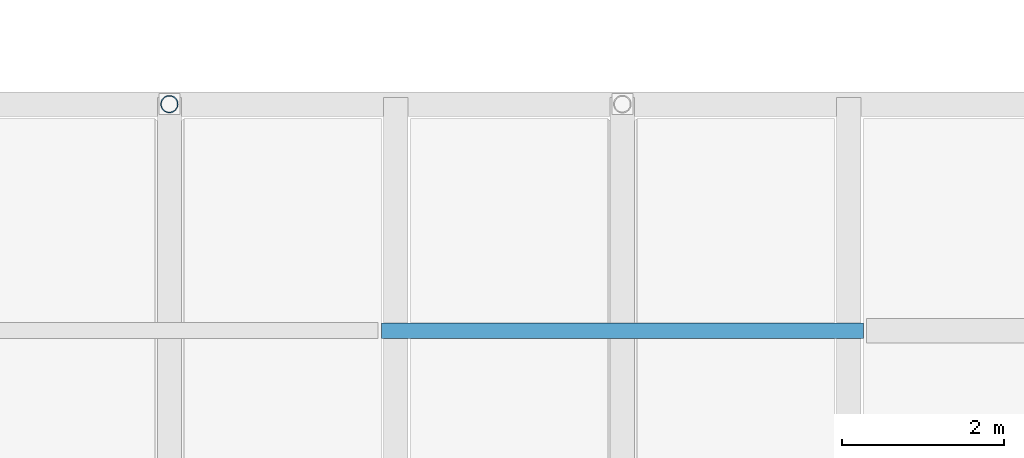
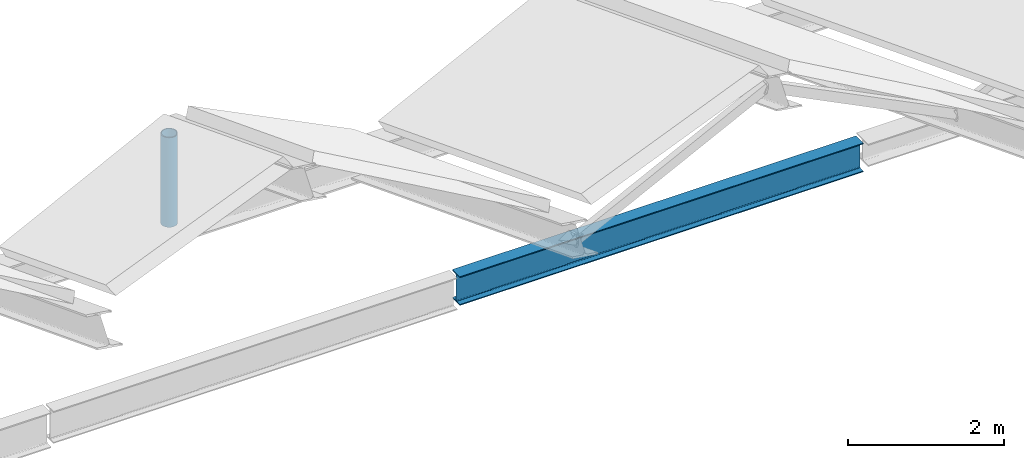
# One storey, part 21 of 49: 1 beam, 1 member.
"""IFC4 building model written with IfcOpenShell, lengths in metres."""

from ifc_helpers import new_model, si_unit, direction, frame, origin, origin_2d, place, context, subcontext, project, spatial, hollow_circle, i_section, extrude, material, material_profile, profile_set, type_object, element, save


model = new_model("IFC4")

# Units and contexts
model_context = context("Model", 3, precision=1e-05, world=origin(), true_north=direction((0.0, 1.0)))
body_context = subcontext(model_context, "Body", "Model", "MODEL_VIEW")
ifc_project = project(units=[si_unit("LENGTHUNIT", "METRE"), si_unit("AREAUNIT", "SQUARE_METRE"), si_unit("VOLUMEUNIT", "CUBIC_METRE"), si_unit("PLANEANGLEUNIT", "RADIAN"), si_unit("MASSUNIT", "GRAM", prefix="KILO")], contexts=[model_context])

# Site, building, storey
site_placement = place(None, origin())
site = spatial("IfcSite", under=ifc_project, at=site_placement, CompositionType="ELEMENT")
building_placement = place(site_placement, origin())
building = spatial("IfcBuilding", under=site, at=building_placement, Name="Vinh Khe Railworks Police Headquarters", CompositionType="ELEMENT")
storey_placement = place(building_placement, frame((0.0, 0.0, 17.10009765625)))
storey = spatial("IfcBuildingStorey", under=building, at=storey_placement, Name="L04", CompositionType="ELEMENT", Elevation=17.10009765625)

# Member
ifc_material = material(Name="Steel S355JR", Category="steel")
ifc_material_profile_1 = material_profile(ifc_material, hollow_circle(Radius=0.109619140625, WallThickness=0.012451171875, at=origin_2d()), Name="CHS 219.1x12.5")
ifc_profile_set_1 = profile_set([ifc_material_profile_1], Name="Steel S355JR")
member_type = type_object("IfcMemberType", Name="Roof Strut CHS 219.1x12.5", PredefinedType="STRUT", material=ifc_profile_set_1)
member_placement = place(storey_placement, frame((37.60009765625, 61.60009765625, -0.191162109375), z_axis=(0.0, 0.0, 1.0), x_axis=(1.0, 0.0, 0.0)))
element("IfcMember", 1, at=member_placement, inside=storey, type_object=member_type, Name="Folded Roof Strut 3N", PredefinedType="STRUT", context=body_context, shape_type="SweptSolid", body=[
    extrude(hollow_circle(Radius=0.109619140625, WallThickness=0.012451171875, at=origin_2d()), origin(), (0.0, 0.0, 1.0), 1.39990234375),
])

# Beam
ifc_material_profile_2 = material_profile(ifc_material, i_section(OverallWidth=0.18994140625, OverallDepth=0.449951171875, WebThickness=0.009521484375, FlangeThickness=0.0146484375, FilletRadius=0.02099609375, at=origin_2d()), Name="IPE 450")
ifc_profile_set_2 = profile_set([ifc_material_profile_2], Name="Steel S355JR")
beam_type = type_object("IfcBeamType", Name="Steel Girder IPE 450", PredefinedType="BEAM", material=ifc_profile_set_2)
beam_placement = place(storey_placement, frame((40.219970703125, 58.800048828125, -0.425048828125), z_axis=(1.0, 0.0, 0.0), x_axis=(0.0, 1.0, 0.0)))
element("IfcBeam", 2, at=beam_placement, inside=storey, type_object=beam_type, Name="Girder BM-L04-EW-SB-20-1314", PredefinedType="BEAM", context=body_context, shape_type="SweptSolid", body=[
    extrude(i_section(OverallWidth=0.18994140625, OverallDepth=0.449951171875, WebThickness=0.009521484375, FlangeThickness=0.0146484375, FilletRadius=0.02099609375, at=origin_2d()), origin(), (0.0, 0.0, 1.0), 5.9599609375),
])

save(model, "model.ifc")
